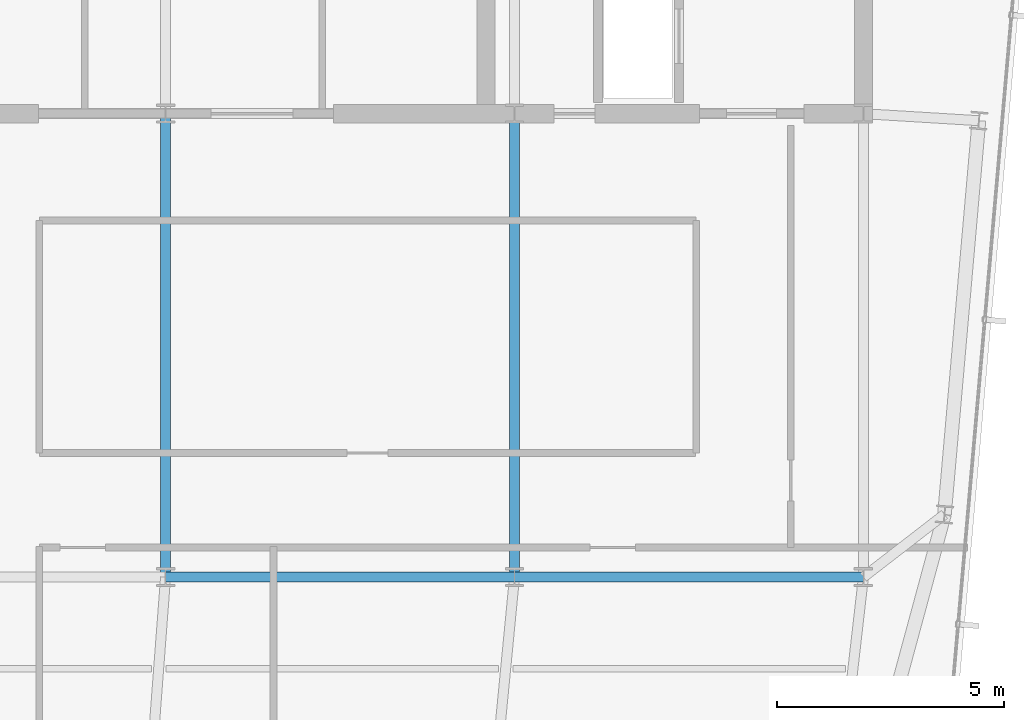
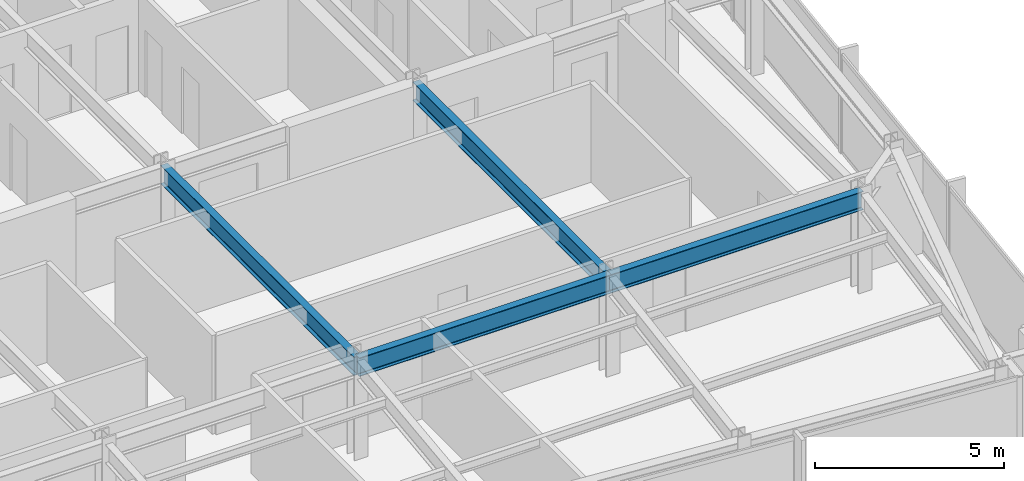
# One storey, part 15 of 32: 4 beams.
"""IFC4 building model written with IfcOpenShell, lengths in metres."""

from ifc_helpers import new_model, si_unit, direction, frame, origin, origin_2d, place, context, subcontext, project, spatial, i_section, extrude, material, material_profile, profile_set, type_object, element, save


model = new_model("IFC4")

# Units and contexts
model_context = context("Model", 3, precision=1e-05, world=origin(), true_north=direction((0.0, 1.0)))
body_context = subcontext(model_context, "Body", "Model", "MODEL_VIEW")
ifc_project = project(units=[si_unit("LENGTHUNIT", "METRE"), si_unit("AREAUNIT", "SQUARE_METRE"), si_unit("VOLUMEUNIT", "CUBIC_METRE"), si_unit("PLANEANGLEUNIT", "RADIAN"), si_unit("MASSUNIT", "GRAM", prefix="KILO")], contexts=[model_context])

# Site, building, storey
site_placement = place(None, origin())
site = spatial("IfcSite", under=ifc_project, at=site_placement, CompositionType="ELEMENT")
building_placement = place(site_placement, origin())
building = spatial("IfcBuilding", under=site, at=building_placement, Name="Yelkora Congress Tower", CompositionType="ELEMENT")
storey_placement = place(building_placement, frame((0.0, 0.0, 262.5)))
storey = spatial("IfcBuildingStorey", under=building, at=storey_placement, Name="L73", CompositionType="ELEMENT", Elevation=262.5)

# Beams
ifc_material = material(Name="Steel S355J2", Category="steel")
ifc_material_profile = material_profile(ifc_material, i_section(OverallWidth=0.219970703125, OverallDepth=0.60009765625, WebThickness=0.011962890625, FlangeThickness=0.01904296875, FilletRadius=0.02392578125, at=origin_2d()), Name="IPE 600")
ifc_profile_set = profile_set([ifc_material_profile], Name="Steel S355J2")
beam_type = type_object("IfcBeamType", Name="BM-GIRD-IPE600", PredefinedType="BEAM", material=ifc_profile_set)
beam_1_placement = place(storey_placement, frame((38.39990234375, 25.199951171875, 2.8798828125), z_axis=(1.0, 0.0, 0.0), x_axis=(0.0, 1.0, 0.0)))
element("IfcBeam", 1, at=beam_1_placement, inside=storey, type_object=beam_type, Name="L73 Spine Grid D Girder 3", PredefinedType="BEAM", context=body_context, shape_type="SweptSolid", body=[
    extrude(i_section(OverallWidth=0.219970703125, OverallDepth=0.60009765625, WebThickness=0.011962890625, FlangeThickness=0.01904296875, FilletRadius=0.02392578125, at=origin_2d()), origin(), (0.0, 0.0, 1.0), 7.68017578125),
])
beam_2_placement = place(storey_placement, frame((46.080078125, 25.199951171875, 2.8798828125), z_axis=(1.0, 0.0, 0.0), x_axis=(0.0, 1.0, 0.0)))
element("IfcBeam", 2, at=beam_2_placement, inside=storey, type_object=beam_type, Name="L73 Spine Grid D Girder 4", PredefinedType="BEAM", context=body_context, shape_type="SweptSolid", body=[
    extrude(i_section(OverallWidth=0.219970703125, OverallDepth=0.60009765625, WebThickness=0.011962890625, FlangeThickness=0.01904296875, FilletRadius=0.02392578125, at=origin_2d()), origin(), (0.0, 0.0, 1.0), 7.679931640625),
])
for number, where, z_axis, x_axis, name in (
    (3, (38.39990234375, 25.199951171875, 2.8798828125), (0.0, 1.0, 0.0), (-1.0, 0.0, 0.0), "L73 Core Tie Girder MC-D3"),
    (4, (46.080078125, 25.199951171875, 2.8798828125), (0.0, 1.0, 0.0), (-1.0, 0.0, 0.0), "L73 Core Tie Girder MC-D4"),
):
    element("IfcBeam", number, at=place(storey_placement, frame(where, z_axis=z_axis, x_axis=x_axis)), inside=storey, type_object=beam_type, Name=name, PredefinedType="BEAM", context=body_context, shape_type="SweptSolid", body=[
        extrude(i_section(OverallWidth=0.219970703125, OverallDepth=0.60009765625, WebThickness=0.011962890625, FlangeThickness=0.01904296875, FilletRadius=0.02392578125, at=origin_2d()), origin(), (0.0, 0.0, 1.0), 10.199951171875),
    ])

save(model, "model.ifc")
